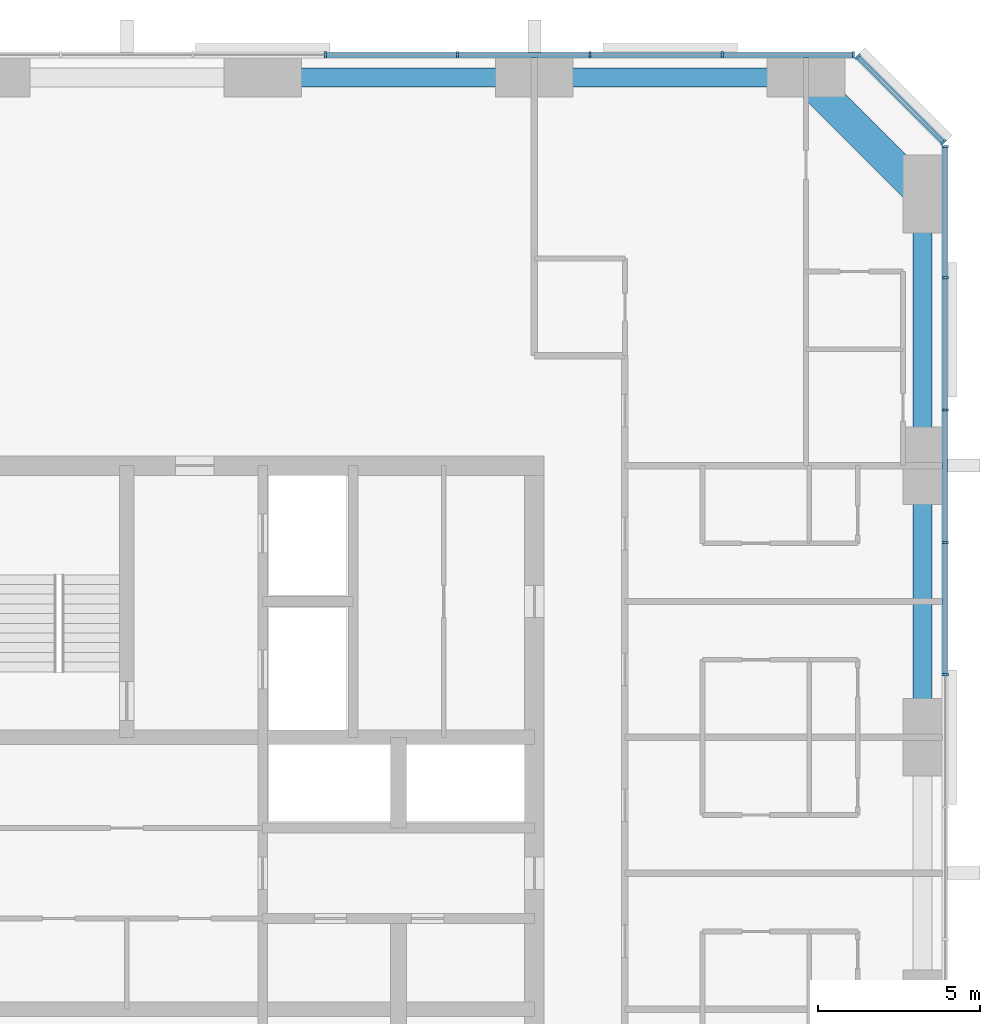
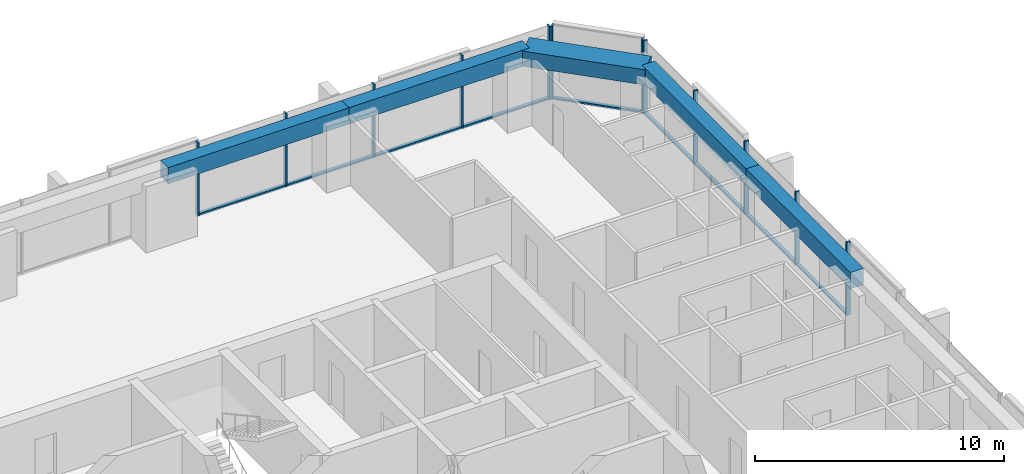
# One storey, part 6 of 14: 21 members, 5 beams, 3 elements without a shape of their own.
"""IFC4 building model written with IfcOpenShell, lengths in metres."""

from ifc_helpers import new_model, si_unit, direction, frame, origin, origin_2d, place, context, subcontext, project, spatial, rectangle, extrude, material, material_profile, profile_set, type_object, element, aggregate, save


model = new_model("IFC4")

# Units and contexts
model_context = context("Model", 3, precision=1e-05, world=origin(), true_north=direction((0.0, 1.0)))
body_context = subcontext(model_context, "Body", "Model", "MODEL_VIEW")
ifc_project = project(units=[si_unit("LENGTHUNIT", "METRE"), si_unit("AREAUNIT", "SQUARE_METRE"), si_unit("VOLUMEUNIT", "CUBIC_METRE"), si_unit("PLANEANGLEUNIT", "RADIAN"), si_unit("MASSUNIT", "GRAM", prefix="KILO")], contexts=[model_context])

# Site, building, storey
site_placement = place(None, origin())
site = spatial("IfcSite", under=ifc_project, at=site_placement, CompositionType="ELEMENT")
building_placement = place(site_placement, origin())
building = spatial("IfcBuilding", under=site, at=building_placement, Name="Dunama Terrace Hotel", CompositionType="ELEMENT")
storey_placement = place(building_placement, frame((0.0, 0.0, 180.60009765625)))
storey = spatial("IfcBuildingStorey", under=building, at=storey_placement, Name="L46", CompositionType="ELEMENT", Elevation=180.60009765625)

# Curtain wall, members
ifc_material_1 = material(Name="Aluminium curtain wall system", Category="aluminium")
curtain_wall_type = type_object("IfcCurtainWallType", Name="Unitised fritted glass wall CW-C", PredefinedType="NOTDEFINED", material=ifc_material_1)
curtain_wall_1_placement = place(storey_placement, origin())
curtain_wall_1 = element("IfcCurtainWall", 1, at=curtain_wall_1_placement, inside=storey, type_object=curtain_wall_type, Name="Unitised fritted glass wall CW-C L46", PredefinedType="NOTDEFINED")
ifc_material_2 = material(Name="Aluminium mullion", Category="aluminium")
ifc_material_profile_1 = material_profile(ifc_material_2, rectangle(XDim=0.070068359375, YDim=0.199951171875, at=origin_2d()), Name="CWC MULLION 70X200")
ifc_profile_set_1 = profile_set([ifc_material_profile_1], Name="Aluminium mullion")
member_type_1 = type_object("IfcMemberType", Name="CWC mullion 70x200", PredefinedType="MULLION", material=ifc_profile_set_1)
member_1_placement = place(storey_placement, frame((54.699951171875, 35.535888671875, 0.0), z_axis=(0.0, 0.0, 1.0), x_axis=(0.0, 1.0, 0.0)))
member_1 = element("IfcMember", 2, at=member_1_placement, type_object=member_type_1, Name="CWC mullion", PredefinedType="MULLION", context=body_context, shape_type="SweptSolid", body=[
    extrude(rectangle(XDim=0.070068359375, YDim=0.199951171875, at=origin_2d()), origin(), (0.0, 0.0, 1.0), 3.599853515625),
])
member_2_placement = place(storey_placement, frame((54.699951171875, 39.626953125, 0.0), z_axis=(0.0, 0.0, 1.0), x_axis=(0.0, 1.0, 0.0)))
member_2 = element("IfcMember", 3, at=member_2_placement, type_object=member_type_1, Name="CWC mullion", PredefinedType="MULLION", context=body_context, shape_type="SweptSolid", body=[
    extrude(rectangle(XDim=0.070068359375, YDim=0.199951171875, at=origin_2d()), origin(), (0.0, 0.0, 1.0), 3.599853515625),
])
member_3_placement = place(storey_placement, frame((54.699951171875, 43.718017578125, 0.0), z_axis=(0.0, 0.0, 1.0), x_axis=(0.0, 1.0, 0.0)))
member_3 = element("IfcMember", 4, at=member_3_placement, type_object=member_type_1, Name="CWC mullion", PredefinedType="MULLION", context=body_context, shape_type="SweptSolid", body=[
    extrude(rectangle(XDim=0.070068359375, YDim=0.199951171875, at=origin_2d()), origin(), (0.0, 0.0, 1.0), 3.599853515625),
])
member_4_placement = place(storey_placement, frame((54.699951171875, 47.80908203125, 0.0), z_axis=(0.0, 0.0, 1.0), x_axis=(0.0, 1.0, 0.0)))
member_4 = element("IfcMember", 5, at=member_4_placement, type_object=member_type_1, Name="CWC mullion", PredefinedType="MULLION", context=body_context, shape_type="SweptSolid", body=[
    extrude(rectangle(XDim=0.070068359375, YDim=0.199951171875, at=origin_2d()), origin(), (0.0, 0.0, 1.0), 3.599853515625),
])
member_5_placement = place(storey_placement, frame((54.699951171875, 51.864990234375, 0.0), z_axis=(0.0, 0.0, 1.0), x_axis=(0.0, 1.0, 0.0)))
member_5 = element("IfcMember", 6, at=member_5_placement, type_object=member_type_1, Name="CWC mullion", PredefinedType="MULLION", context=body_context, shape_type="SweptSolid", body=[
    extrude(rectangle(XDim=0.070068359375, YDim=0.199951171875, at=origin_2d()), origin(), (0.0, 0.0, 1.0), 3.599853515625),
])

curtain_wall_2_placement = place(storey_placement, origin())
curtain_wall_2 = element("IfcCurtainWall", 7, at=curtain_wall_2_placement, inside=storey, type_object=curtain_wall_type, Name="Unitised fritted glass wall CW-C L46", PredefinedType="NOTDEFINED")
member_6_placement = place(storey_placement, frame((54.64599609375, 51.9951171875, 0.0), z_axis=(0.0, 0.0, 1.0), x_axis=(-0.707106781187, 0.707106781187, 0.0)))
member_6 = element("IfcMember", 8, at=member_6_placement, type_object=member_type_1, Name="CWC mullion", PredefinedType="MULLION", context=body_context, shape_type="SweptSolid", body=[
    extrude(rectangle(XDim=0.070068359375, YDim=0.199951171875, at=origin_2d()), origin(), (0.0, 0.0, 1.0), 3.599853515625),
])
member_7_placement = place(storey_placement, frame((51.9951171875, 54.64599609375, 0.0), z_axis=(0.0, 0.0, 1.0), x_axis=(-0.707106781187, 0.707106781187, 0.0)))
member_7 = element("IfcMember", 9, at=member_7_placement, type_object=member_type_1, Name="CWC mullion", PredefinedType="MULLION", context=body_context, shape_type="SweptSolid", body=[
    extrude(rectangle(XDim=0.070068359375, YDim=0.199951171875, at=origin_2d()), origin(), (0.0, 0.0, 1.0), 3.599853515625),
])

curtain_wall_3_placement = place(storey_placement, origin())
curtain_wall_3 = element("IfcCurtainWall", 10, at=curtain_wall_3_placement, inside=storey, type_object=curtain_wall_type, Name="Unitised fritted glass wall CW-C L46", PredefinedType="NOTDEFINED")
member_8_placement = place(storey_placement, frame((51.864990234375, 54.699951171875, 0.0), z_axis=(0.0, 0.0, 1.0), x_axis=(-1.0, 0.0, 0.0)))
member_8 = element("IfcMember", 11, at=member_8_placement, type_object=member_type_1, Name="CWC mullion", PredefinedType="MULLION", context=body_context, shape_type="SweptSolid", body=[
    extrude(rectangle(XDim=0.070068359375, YDim=0.199951171875, at=origin_2d()), origin(), (0.0, 0.0, 1.0), 3.599853515625),
])
member_9_placement = place(storey_placement, frame((47.80908203125, 54.699951171875, 0.0), z_axis=(0.0, 0.0, 1.0), x_axis=(-1.0, 0.0, 0.0)))
member_9 = element("IfcMember", 12, at=member_9_placement, type_object=member_type_1, Name="CWC mullion", PredefinedType="MULLION", context=body_context, shape_type="SweptSolid", body=[
    extrude(rectangle(XDim=0.070068359375, YDim=0.199951171875, at=origin_2d()), origin(), (0.0, 0.0, 1.0), 3.599853515625),
])
member_10_placement = place(storey_placement, frame((43.718017578125, 54.699951171875, 0.0), z_axis=(0.0, 0.0, 1.0), x_axis=(-1.0, 0.0, 0.0)))
member_10 = element("IfcMember", 13, at=member_10_placement, type_object=member_type_1, Name="CWC mullion", PredefinedType="MULLION", context=body_context, shape_type="SweptSolid", body=[
    extrude(rectangle(XDim=0.070068359375, YDim=0.199951171875, at=origin_2d()), origin(), (0.0, 0.0, 1.0), 3.599853515625),
])
member_11_placement = place(storey_placement, frame((39.626953125, 54.699951171875, 0.0), z_axis=(0.0, 0.0, 1.0), x_axis=(-1.0, 0.0, 0.0)))
member_11 = element("IfcMember", 14, at=member_11_placement, type_object=member_type_1, Name="CWC mullion", PredefinedType="MULLION", context=body_context, shape_type="SweptSolid", body=[
    extrude(rectangle(XDim=0.070068359375, YDim=0.199951171875, at=origin_2d()), origin(), (0.0, 0.0, 1.0), 3.599853515625),
])
member_12_placement = place(storey_placement, frame((35.535888671875, 54.699951171875, 0.0), z_axis=(0.0, 0.0, 1.0), x_axis=(-1.0, 0.0, 0.0)))
member_12 = element("IfcMember", 15, at=member_12_placement, type_object=member_type_1, Name="CWC mullion", PredefinedType="MULLION", context=body_context, shape_type="SweptSolid", body=[
    extrude(rectangle(XDim=0.070068359375, YDim=0.199951171875, at=origin_2d()), origin(), (0.0, 0.0, 1.0), 3.599853515625),
])

# Member
ifc_material_3 = material(Name="Aluminium transom", Category="aluminium")
ifc_material_profile_2 = material_profile(ifc_material_3, rectangle(XDim=0.159912109375, YDim=0.080078125, at=origin_2d()), Name="CWC TRANSOM 160X80")
ifc_profile_set_2 = profile_set([ifc_material_profile_2], Name="Aluminium transom")
member_type_2 = type_object("IfcMemberType", Name="CWC transom 160x80", PredefinedType="USERDEFINED", material=ifc_profile_set_2)
member_13_placement = place(storey_placement, frame((54.699951171875, 35.571044921875, 0.039794921875), z_axis=(0.0, 1.0, 0.0), x_axis=(-1.0, 0.0, 0.0)))
member_13 = element("IfcMember", 16, at=member_13_placement, type_object=member_type_2, Name="CWC transom", ObjectType="TRANSOM", PredefinedType="USERDEFINED", context=body_context, shape_type="SweptSolid", body=[
    extrude(rectangle(XDim=0.159912109375, YDim=0.080078125, at=origin_2d()), origin(), (0.0, 0.0, 1.0), 4.02099609375),
])

member_14_placement = place(storey_placement, frame((54.699951171875, 39.662109375, 0.039794921875), z_axis=(0.0, 1.0, 0.0), x_axis=(-1.0, 0.0, 0.0)))
member_14 = element("IfcMember", 17, at=member_14_placement, type_object=member_type_2, Name="CWC transom", ObjectType="TRANSOM", PredefinedType="USERDEFINED", context=body_context, shape_type="SweptSolid", body=[
    extrude(rectangle(XDim=0.159912109375, YDim=0.080078125, at=origin_2d()), origin(), (0.0, 0.0, 1.0), 4.02099609375),
])

member_15_placement = place(storey_placement, frame((54.699951171875, 43.7529296875, 0.039794921875), z_axis=(0.0, 1.0, 0.0), x_axis=(-1.0, 0.0, 0.0)))
member_15 = element("IfcMember", 18, at=member_15_placement, type_object=member_type_2, Name="CWC transom", ObjectType="TRANSOM", PredefinedType="USERDEFINED", context=body_context, shape_type="SweptSolid", body=[
    extrude(rectangle(XDim=0.159912109375, YDim=0.080078125, at=origin_2d()), origin(), (0.0, 0.0, 1.0), 4.02099609375),
])

member_16_placement = place(storey_placement, frame((54.699951171875, 47.843994140625, 0.039794921875), z_axis=(0.0, 1.0, 0.0), x_axis=(-1.0, 0.0, 0.0)))
member_16 = element("IfcMember", 19, at=member_16_placement, type_object=member_type_2, Name="CWC transom", ObjectType="TRANSOM", PredefinedType="USERDEFINED", context=body_context, shape_type="SweptSolid", body=[
    extrude(rectangle(XDim=0.159912109375, YDim=0.080078125, at=origin_2d()), origin(), (0.0, 0.0, 1.0), 3.986083984375),
])

aggregate(curtain_wall_1, [member_1, member_2, member_3, member_4, member_5, member_13, member_14, member_15, member_16])

member_17_placement = place(storey_placement, frame((54.62109375, 52.02001953125, 0.039794921875), z_axis=(-0.707106781187, 0.707106781187, 0.0), x_axis=(-0.707106781187, -0.707106781187, 0.0)))
member_17 = element("IfcMember", 20, at=member_17_placement, type_object=member_type_2, Name="CWC transom", ObjectType="TRANSOM", PredefinedType="USERDEFINED", context=body_context, shape_type="SweptSolid", body=[
    extrude(rectangle(XDim=0.159912109375, YDim=0.080078125, at=origin_2d()), origin(), (0.0, 0.0, 1.0), 3.678466796875),
])

aggregate(curtain_wall_2, [member_6, member_7, member_17])

member_18_placement = place(storey_placement, frame((51.830078125, 54.699951171875, 0.039794921875), z_axis=(-1.0, 0.0, 0.0), x_axis=(0.0, -1.0, 0.0)))
member_18 = element("IfcMember", 21, at=member_18_placement, type_object=member_type_2, Name="CWC transom", ObjectType="TRANSOM", PredefinedType="USERDEFINED", context=body_context, shape_type="SweptSolid", body=[
    extrude(rectangle(XDim=0.159912109375, YDim=0.080078125, at=origin_2d()), origin(), (0.0, 0.0, 1.0), 3.986083984375),
])

member_19_placement = place(storey_placement, frame((47.77392578125, 54.699951171875, 0.039794921875), z_axis=(-1.0, 0.0, 0.0), x_axis=(0.0, -1.0, 0.0)))
member_19 = element("IfcMember", 22, at=member_19_placement, type_object=member_type_2, Name="CWC transom", ObjectType="TRANSOM", PredefinedType="USERDEFINED", context=body_context, shape_type="SweptSolid", body=[
    extrude(rectangle(XDim=0.159912109375, YDim=0.080078125, at=origin_2d()), origin(), (0.0, 0.0, 1.0), 4.02099609375),
])

member_20_placement = place(storey_placement, frame((43.68310546875, 54.699951171875, 0.039794921875), z_axis=(-1.0, 0.0, 0.0), x_axis=(0.0, -1.0, 0.0)))
member_20 = element("IfcMember", 23, at=member_20_placement, type_object=member_type_2, Name="CWC transom", ObjectType="TRANSOM", PredefinedType="USERDEFINED", context=body_context, shape_type="SweptSolid", body=[
    extrude(rectangle(XDim=0.159912109375, YDim=0.080078125, at=origin_2d()), origin(), (0.0, 0.0, 1.0), 4.02099609375),
])

member_21_placement = place(storey_placement, frame((39.592041015625, 54.699951171875, 0.039794921875), z_axis=(-1.0, 0.0, 0.0), x_axis=(0.0, -1.0, 0.0)))
member_21 = element("IfcMember", 24, at=member_21_placement, type_object=member_type_2, Name="CWC transom", ObjectType="TRANSOM", PredefinedType="USERDEFINED", context=body_context, shape_type="SweptSolid", body=[
    extrude(rectangle(XDim=0.159912109375, YDim=0.080078125, at=origin_2d()), origin(), (0.0, 0.0, 1.0), 4.02099609375),
])

aggregate(curtain_wall_3, [member_8, member_9, member_10, member_11, member_12, member_18, member_19, member_20, member_21])

# Beams
ifc_material_4 = material(Name="Concrete C50/60", Category="concrete")
ifc_material_profile_3 = material_profile(ifc_material_4, rectangle(XDim=1.0, YDim=0.75, at=origin_2d()), Name="RC 1000x750")
ifc_profile_set_3 = profile_set([ifc_material_profile_3], Name="Concrete C50/60")
beam_type_1 = type_object("IfcBeamType", Name="Edge beam RC 1000x750", PredefinedType="SPANDREL", material=ifc_profile_set_3)
beam_placement = place(storey_placement, frame((50.39990234375, 54.0, 3.224853515625), z_axis=(0.707106781187, -0.707106781187, 0.0), x_axis=(0.707106781187, 0.707106781187, 0.0)))
element("IfcBeam", 25, at=beam_placement, inside=storey, type_object=beam_type_1, Name="Corner edge beam under L47", PredefinedType="SPANDREL", context=body_context, shape_type="SweptSolid", body=[
    extrude(rectangle(XDim=1.0, YDim=0.75, at=origin_2d()), origin(), (0.0, 0.0, 1.0), 5.09130859375),
])
ifc_material_5 = material(Name="Concrete C40/50", Category="concrete")
ifc_material_profile_4 = material_profile(ifc_material_5, rectangle(XDim=0.60009765625, YDim=0.800048828125, at=origin_2d()), Name="RC 600x800")
ifc_profile_set_4 = profile_set([ifc_material_profile_4], Name="Concrete C40/50")
beam_type_2 = type_object("IfcBeamType", Name="Edge beam RC 600x800", PredefinedType="SPANDREL", material=ifc_profile_set_4)
for number, where, z_axis, x_axis, name in (
    (26, (54.0, 33.60009765625, 3.199951171875), (0.0, 1.0, 0.0), (-1.0, 0.0, 0.0), "Edge beam under L47"),
    (27, (54.0, 42.0, 3.199951171875), (0.0, 1.0, 0.0), (-1.0, 0.0, 0.0), "Edge beam under L47"),
    (28, (33.60009765625, 54.0, 3.199951171875), (1.0, 0.0, 0.0), (0.0, 1.0, 0.0), "Edge beam under L47"),
    (29, (42.0, 54.0, 3.199951171875), (1.0, 0.0, 0.0), (0.0, 1.0, 0.0), "Edge beam under L47"),
):
    element("IfcBeam", number, at=place(storey_placement, frame(where, z_axis=z_axis, x_axis=x_axis)), inside=storey, type_object=beam_type_2, Name=name, PredefinedType="SPANDREL", context=body_context, shape_type="SweptSolid", body=[
        extrude(rectangle(XDim=0.60009765625, YDim=0.800048828125, at=origin_2d()), origin(), (0.0, 0.0, 1.0), 8.39990234375),
    ])

save(model, "model.ifc")
